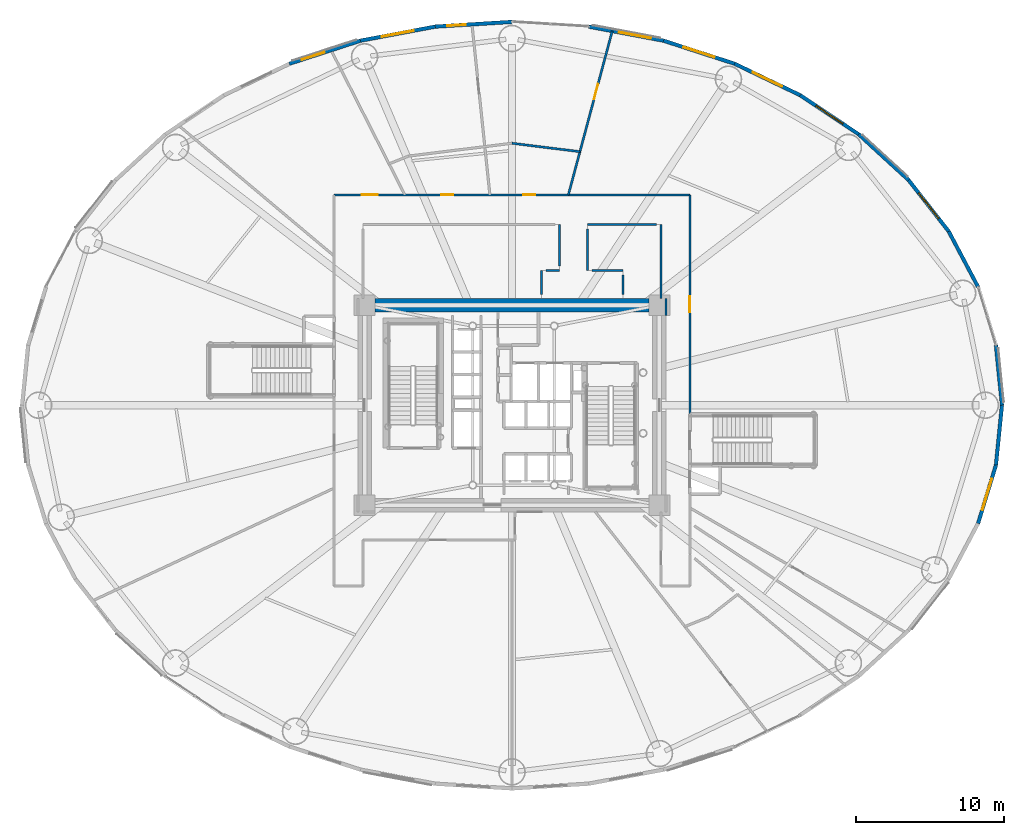
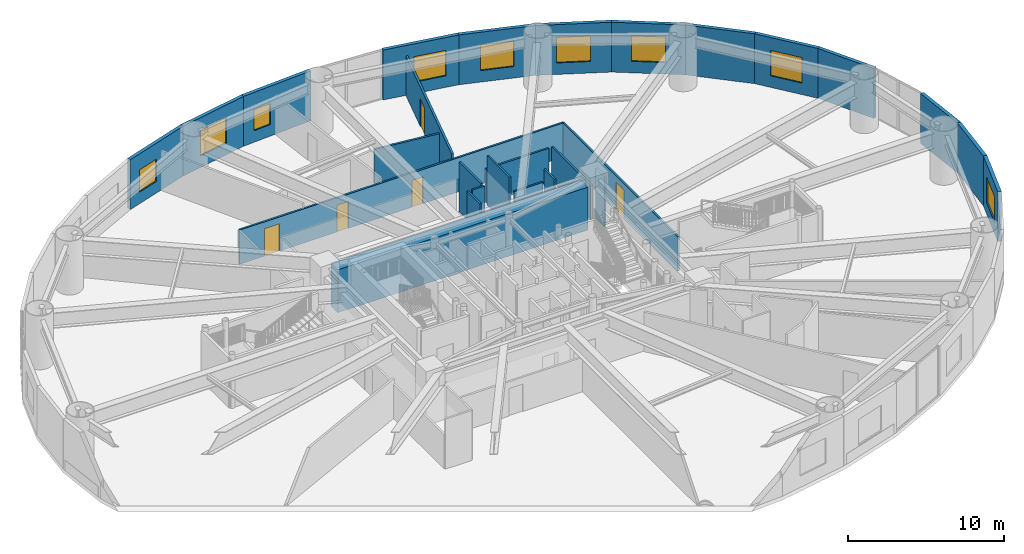
# One storey, part 16 of 27: 27 walls, 9 windows, 5 doors, 14 openings.
"""IFC4 building model written with IfcOpenShell, lengths in metres."""

from ifc_helpers import new_model, si_unit, direction, frame, frame_2d, origin, origin_2d, place, context, subcontext, project, spatial, rectangle, extrude, source, transform, mapped, material, layer, layer_set, type_object, element, fill, save


model = new_model("IFC4")

# Units and contexts
model_context = context("Model", 3, precision=1e-05, world=origin(), true_north=direction((0.0, 1.0)))
body_context = subcontext(model_context, "Body", "Model", "MODEL_VIEW")
ifc_project = project(units=[si_unit("LENGTHUNIT", "METRE"), si_unit("AREAUNIT", "SQUARE_METRE"), si_unit("VOLUMEUNIT", "CUBIC_METRE"), si_unit("PLANEANGLEUNIT", "RADIAN"), si_unit("MASSUNIT", "GRAM", prefix="KILO")], contexts=[model_context])

# Site, building, storey
site_placement = place(None, origin())
site = spatial("IfcSite", under=ifc_project, at=site_placement, CompositionType="ELEMENT")
building_placement = place(site_placement, origin())
building = spatial("IfcBuilding", under=site, at=building_placement, Name="Linh Dai School and Residence Tower", CompositionType="ELEMENT")
storey_placement = place(building_placement, frame((0.0, 0.0, 22.800048828125)))
storey = spatial("IfcBuildingStorey", under=building, at=storey_placement, Name="L05", CompositionType="ELEMENT", Elevation=22.800048828125)

# Walls
ifc_material_1 = material(Name="Precast Concrete B45 (C35/45)", Category="concrete")
ifc_layer_1 = layer(ifc_material_1, 0.25)
ifc_layer_set_1 = layer_set([ifc_layer_1], Name="Precast Concrete B45 (C35/45)")
wall_type_1 = type_object("IfcWallType", Name="EW-TC-250", PredefinedType="SOLIDWALL", material=ifc_layer_set_1)
wall_1_placement = place(storey_placement, frame((68.668701171875, 31.04248046875, 0.0), z_axis=(0.0, 0.0, 1.0), x_axis=(0.099991575324, -0.994988283782, 0.0)))
element("IfcWall", 1, at=wall_1_placement, inside=storey, type_object=wall_type_1, Name="L05 Terracotta Exterior Wall 01", PredefinedType="SOLIDWALL", context=body_context, shape_type="SweptSolid", body=[
    extrude(rectangle(XDim=4.062744140625, YDim=0.25, at=frame_2d((2.03125, 0.0))), origin(), (0.0, 0.0, 1.0), 3.89990234375),
])
wall_2_placement = place(storey_placement, frame((65.4765625, 38.735595703125, 0.0), z_axis=(0.0, 0.0, 1.0), x_axis=(0.467588829866, -0.883946087827, 0.0)))
element("IfcWall", 2, at=wall_2_placement, inside=storey, type_object=wall_type_1, Name="L05 Terracotta Exterior Wall 03", PredefinedType="SOLIDWALL", context=body_context, shape_type="SweptSolid", body=[
    extrude(rectangle(XDim=4.2412109375, YDim=0.25, at=frame_2d((2.12060546875, 0.0))), origin(), (0.0, 0.0, 1.0), 3.89990234375),
])

# Wall, opening, window
wall_3_placement = place(storey_placement, frame((62.767822265625, 42.197509765625, 0.0), z_axis=(0.0, 0.0, 1.0), x_axis=(0.61622589112, -0.787569457961, 0.0)))
wall_3 = element("IfcWall", 3, at=wall_3_placement, inside=storey, type_object=wall_type_1, Name="L05 Terracotta Exterior Wall 04", PredefinedType="SOLIDWALL", context=body_context, shape_type="SweptSolid", body=[
    extrude(rectangle(XDim=4.395751953125, YDim=0.25, at=frame_2d((2.19775390625, 0.0))), origin(), (0.0, 0.0, 1.0), 3.89990234375),
])
opening_1_placement = place(wall_3_placement, frame((1.09765625, 0.0, 0.89990234375)))
opening_1 = element("IfcOpeningElement", 4, at=opening_1_placement, cuts=wall_3, Name="Opening W4", PredefinedType="OPENING", context=body_context, shape_type="SweptSolid", body=[
    extrude(rectangle(XDim=2.199951171875, YDim=2.0, at=origin_2d()), frame((1.10009765625, 0.135009765625, 1.0), z_axis=(0.0, -1.0, 0.0), x_axis=(1.0, 0.0, 0.0)), (0.0, 0.0, 1.0), 0.27001953125),
])
ifc_material_2 = material(Name="Acoustic Laminated Low-E Glazing", Category="glass")
window_type_1 = type_object("IfcWindowType", Name="WN-SCH-2200x2000", PartitioningType="TRIPLE_PANEL_VERTICAL", PredefinedType="WINDOW", material=ifc_material_2)
shared_shape_1 = source(origin(), body_context, "Body", "SweptSolid", [
    extrude(rectangle(XDim=2.199951171875, YDim=2.0, at=origin_2d()), frame((1.10009765625, 0.030029296875, 1.0), z_axis=(0.0, -1.0, 0.0), x_axis=(1.0, 0.0, 0.0)), (0.0, 0.0, 1.0), 0.06005859375),
])
window_1_placement = place(opening_1_placement, origin())
window_1 = element("IfcWindow", 5, at=window_1_placement, inside=storey, type_object=window_type_1, Name="L05 Exterior Window 04.1", OverallHeight=2.0, OverallWidth=2.199951171875, PartitioningType="TRIPLE_PANEL_VERTICAL", PredefinedType="WINDOW", context=body_context, shape_type="MappedRepresentation", body=[
    mapped(shared_shape_1, transform((0.0, 0.0, 0.0), x_axis=(1.0, 0.0, 0.0), y_axis=(0.0, 1.0, 0.0), z_axis=(0.0, 0.0, 1.0), scale=1.0)),
])
fill(opening_1, window_1)

# Wall
wall_4_placement = place(storey_placement, frame((59.39892578125, 45.286376953125, 0.0), z_axis=(0.0, 0.0, 1.0), x_axis=(0.737076532105, -0.675809282136, 0.0)))
element("IfcWall", 6, at=wall_4_placement, inside=storey, type_object=wall_type_1, Name="L05 Terracotta Exterior Wall 05", PredefinedType="SOLIDWALL", context=body_context, shape_type="SweptSolid", body=[
    extrude(rectangle(XDim=4.570556640625, YDim=0.25, at=frame_2d((2.28515625, 0.0))), origin(), (0.0, 0.0, 1.0), 3.89990234375),
])

# Wall, opening, window
wall_5_placement = place(storey_placement, frame((55.45263671875, 47.92578125, 0.0), z_axis=(0.0, 0.0, 1.0), x_axis=(0.831218664812, -0.555945618985, 0.0)))
wall_5 = element("IfcWall", 7, at=wall_5_placement, inside=storey, type_object=wall_type_1, Name="L05 Terracotta Exterior Wall 06", PredefinedType="SOLIDWALL", context=body_context, shape_type="SweptSolid", body=[
    extrude(rectangle(XDim=4.74755859375, YDim=0.25, at=frame_2d((2.373779296875, 0.0))), origin(), (0.0, 0.0, 1.0), 3.89990234375),
])
opening_2_placement = place(wall_5_placement, frame((1.273681640625, 0.0, 0.89990234375)))
opening_2 = element("IfcOpeningElement", 8, at=opening_2_placement, cuts=wall_5, Name="Opening W4", PredefinedType="OPENING", context=body_context, shape_type="SweptSolid", body=[
    extrude(rectangle(XDim=2.199951171875, YDim=2.0, at=origin_2d()), frame((1.10009765625, 0.135009765625, 1.0), z_axis=(0.0, -1.0, 0.0), x_axis=(1.0, 0.0, 0.0)), (0.0, 0.0, 1.0), 0.27001953125),
])
window_2_placement = place(opening_2_placement, origin())
window_2 = element("IfcWindow", 9, at=window_2_placement, inside=storey, type_object=window_type_1, Name="L05 Exterior Window 06.1", OverallHeight=2.0, OverallWidth=2.199951171875, PartitioningType="TRIPLE_PANEL_VERTICAL", PredefinedType="WINDOW", context=body_context, shape_type="MappedRepresentation", body=[
    mapped(shared_shape_1, transform((0.0, 0.0, 0.0), x_axis=(1.0, 0.0, 0.0), y_axis=(0.0, 1.0, 0.0), z_axis=(0.0, 0.0, 1.0), scale=1.0)),
])
fill(opening_2, window_2)

wall_6_placement = place(storey_placement, frame((51.026123046875, 50.050048828125, 0.0), z_axis=(0.0, 0.0, 1.0), x_axis=(0.901559523397, -0.432655088692, 0.0)))
wall_6 = element("IfcWall", 10, at=wall_6_placement, inside=storey, type_object=wall_type_1, Name="L05 Terracotta Exterior Wall 07", PredefinedType="SOLIDWALL", context=body_context, shape_type="SweptSolid", body=[
    extrude(rectangle(XDim=4.909912109375, YDim=0.25, at=frame_2d((2.455078125, 0.0))), origin(), (0.0, 0.0, 1.0), 3.89990234375),
])
opening_3_placement = place(wall_6_placement, frame((1.354736328125, 0.0, 0.89990234375)))
opening_3 = element("IfcOpeningElement", 11, at=opening_3_placement, cuts=wall_6, Name="Opening W4", PredefinedType="OPENING", context=body_context, shape_type="SweptSolid", body=[
    extrude(rectangle(XDim=2.199951171875, YDim=2.0, at=origin_2d()), frame((1.10009765625, 0.135009765625, 1.0), z_axis=(0.0, -1.0, 0.0), x_axis=(1.0, 0.0, 0.0)), (0.0, 0.0, 1.0), 0.27001953125),
])
window_3_placement = place(opening_3_placement, origin())
window_3 = element("IfcWindow", 12, at=window_3_placement, inside=storey, type_object=window_type_1, Name="L05 Exterior Window 07.1", OverallHeight=2.0, OverallWidth=2.199951171875, PartitioningType="TRIPLE_PANEL_VERTICAL", PredefinedType="WINDOW", context=body_context, shape_type="MappedRepresentation", body=[
    mapped(shared_shape_1, transform((0.0, 0.0, 0.0), x_axis=(1.0, 0.0, 0.0), y_axis=(0.0, 1.0, 0.0), z_axis=(0.0, 0.0, 1.0), scale=1.0)),
])
fill(opening_3, window_3)

wall_7_placement = place(storey_placement, frame((46.228515625, 51.6064453125, 0.0), z_axis=(0.0, 0.0, 1.0), x_axis=(0.951198629726, -0.308579271513, 0.0)))
wall_7 = element("IfcWall", 13, at=wall_7_placement, inside=storey, type_object=wall_type_1, Name="L05 Terracotta Exterior Wall 08", PredefinedType="SOLIDWALL", context=body_context, shape_type="SweptSolid", body=[
    extrude(rectangle(XDim=5.043701171875, YDim=0.25, at=frame_2d((2.52197265625, 0.0))), origin(), (0.0, 0.0, 1.0), 3.89990234375),
])
opening_4_placement = place(wall_7_placement, frame((1.421630859375, 0.0, 0.89990234375)))
opening_4 = element("IfcOpeningElement", 14, at=opening_4_placement, cuts=wall_7, Name="Opening W4", PredefinedType="OPENING", context=body_context, shape_type="SweptSolid", body=[
    extrude(rectangle(XDim=2.199951171875, YDim=2.0, at=origin_2d()), frame((1.10009765625, 0.135009765625, 1.0), z_axis=(0.0, -1.0, 0.0), x_axis=(1.0, 0.0, 0.0)), (0.0, 0.0, 1.0), 0.27001953125),
])
window_4_placement = place(opening_4_placement, origin())
window_4 = element("IfcWindow", 15, at=window_4_placement, inside=storey, type_object=window_type_1, Name="L05 Exterior Window 08.1", OverallHeight=2.0, OverallWidth=2.199951171875, PartitioningType="TRIPLE_PANEL_VERTICAL", PredefinedType="WINDOW", context=body_context, shape_type="MappedRepresentation", body=[
    mapped(shared_shape_1, transform((0.0, 0.0, 0.0), x_axis=(1.0, 0.0, 0.0), y_axis=(0.0, 1.0, 0.0), z_axis=(0.0, 0.0, 1.0), scale=1.0)),
])
fill(opening_4, window_4)

wall_8_placement = place(storey_placement, frame((41.17822265625, 52.555908203125, 0.0), z_axis=(0.0, 0.0, 1.0), x_axis=(0.98278278947, -0.184764684726, 0.0)))
wall_8 = element("IfcWall", 16, at=wall_8_placement, inside=storey, type_object=wall_type_1, Name="L05 Terracotta Exterior Wall 09", PredefinedType="SOLIDWALL", context=body_context, shape_type="SweptSolid", body=[
    extrude(rectangle(XDim=5.138671875, YDim=0.25, at=frame_2d((2.5693359375, 0.0))), origin(), (0.0, 0.0, 1.0), 3.89990234375),
])
opening_5_placement = place(wall_8_placement, frame((2.079345703125, 0.0, 0.89990234375)))
opening_5 = element("IfcOpeningElement", 17, at=opening_5_placement, cuts=wall_8, Name="Opening W4", PredefinedType="OPENING", context=body_context, shape_type="SweptSolid", body=[
    extrude(rectangle(XDim=2.199951171875, YDim=2.0, at=origin_2d()), frame((1.10009765625, 0.135009765625, 1.0), z_axis=(0.0, -1.0, 0.0), x_axis=(1.0, 0.0, 0.0)), (0.0, 0.0, 1.0), 0.27001953125),
])
window_5_placement = place(opening_5_placement, origin())
window_5 = element("IfcWindow", 18, at=window_5_placement, inside=storey, type_object=window_type_1, Name="L05 Exterior Window 09.1", OverallHeight=2.0, OverallWidth=2.199951171875, PartitioningType="TRIPLE_PANEL_VERTICAL", PredefinedType="WINDOW", context=body_context, shape_type="MappedRepresentation", body=[
    mapped(shared_shape_1, transform((0.0, 0.0, 0.0), x_axis=(1.0, 0.0, 0.0), y_axis=(0.0, 1.0, 0.0), z_axis=(0.0, 0.0, 1.0), scale=1.0)),
])
fill(opening_5, window_5)

wall_9_placement = place(storey_placement, frame((30.82177734375, 52.555908203125, 0.0), z_axis=(0.0, 0.0, 1.0), x_axis=(0.998106762298, 0.061505211614, 0.0)))
wall_9 = element("IfcWall", 19, at=wall_9_placement, inside=storey, type_object=wall_type_1, Name="L05 Terracotta Exterior Wall 11", PredefinedType="SOLIDWALL", context=body_context, shape_type="SweptSolid", body=[
    extrude(rectangle(XDim=5.18798828125, YDim=0.25, at=frame_2d((2.593994140625, 0.0))), origin(), (0.0, 0.0, 1.0), 3.89990234375),
])
opening_6_placement = place(wall_9_placement, frame((0.81201171875, 0.0, 0.89990234375)))
opening_6 = element("IfcOpeningElement", 20, at=opening_6_placement, cuts=wall_9, Name="Opening W3", PredefinedType="OPENING", context=body_context, shape_type="SweptSolid", body=[
    extrude(rectangle(XDim=1.25, YDim=1.64990234375, at=origin_2d()), frame((0.625, 0.135009765625, 0.824951171875), z_axis=(0.0, -1.0, 0.0), x_axis=(1.0, 0.0, 0.0)), (0.0, 0.0, 1.0), 0.27001953125),
])
ifc_material_3 = material(Name="Double Low-E Insulated Glazing", Category="glass")
window_type_2 = type_object("IfcWindowType", Name="WN-RES-1250x1650", PartitioningType="SINGLE_PANEL", PredefinedType="WINDOW", material=ifc_material_3)
shared_shape_2 = source(origin(), body_context, "Body", "SweptSolid", [
    extrude(rectangle(XDim=1.25, YDim=1.64990234375, at=origin_2d()), frame((0.625, 0.030029296875, 0.824951171875), z_axis=(0.0, -1.0, 0.0), x_axis=(1.0, 0.0, 0.0)), (0.0, 0.0, 1.0), 0.06005859375),
])
window_6_placement = place(opening_6_placement, origin())
window_6 = element("IfcWindow", 21, at=window_6_placement, inside=storey, type_object=window_type_2, Name="L05 Exterior Window 11.1", OverallHeight=1.64990234375, OverallWidth=1.25, PartitioningType="SINGLE_PANEL", PredefinedType="WINDOW", context=body_context, shape_type="MappedRepresentation", body=[
    mapped(shared_shape_2, transform((0.0, 0.0, 0.0), x_axis=(1.0, 0.0, 0.0), y_axis=(0.0, 1.0, 0.0), z_axis=(0.0, 0.0, 1.0), scale=1.0)),
])
fill(opening_6, window_6)

wall_10_placement = place(storey_placement, frame((25.771484375, 51.6064453125, 0.0), z_axis=(0.0, 0.0, 1.0), x_axis=(0.98278278947, 0.184764684726, 0.0)))
wall_10 = element("IfcWall", 22, at=wall_10_placement, inside=storey, type_object=wall_type_1, Name="L05 Terracotta Exterior Wall 12", PredefinedType="SOLIDWALL", context=body_context, shape_type="SweptSolid", body=[
    extrude(rectangle(XDim=5.138671875, YDim=0.25, at=frame_2d((2.5693359375, 0.0))), origin(), (0.0, 0.0, 1.0), 3.89990234375),
])
opening_7_placement = place(wall_10_placement, frame((1.469482421875, 0.0, 0.89990234375)))
opening_7 = element("IfcOpeningElement", 23, at=opening_7_placement, cuts=wall_10, Name="Opening W4", PredefinedType="OPENING", context=body_context, shape_type="SweptSolid", body=[
    extrude(rectangle(XDim=2.199951171875, YDim=2.0, at=origin_2d()), frame((1.10009765625, 0.135009765625, 1.0), z_axis=(0.0, -1.0, 0.0), x_axis=(1.0, 0.0, 0.0)), (0.0, 0.0, 1.0), 0.27001953125),
])
window_7_placement = place(opening_7_placement, origin())
window_7 = element("IfcWindow", 24, at=window_7_placement, inside=storey, type_object=window_type_1, Name="L05 Exterior Window 12.1", OverallHeight=2.0, OverallWidth=2.199951171875, PartitioningType="TRIPLE_PANEL_VERTICAL", PredefinedType="WINDOW", context=body_context, shape_type="MappedRepresentation", body=[
    mapped(shared_shape_1, transform((0.0, 0.0, 0.0), x_axis=(1.0, 0.0, 0.0), y_axis=(0.0, 1.0, 0.0), z_axis=(0.0, 0.0, 1.0), scale=1.0)),
])
fill(opening_7, window_7)

wall_11_placement = place(storey_placement, frame((20.973876953125, 50.050048828125, 0.0), z_axis=(0.0, 0.0, 1.0), x_axis=(0.951198629726, 0.308579271513, 0.0)))
wall_11 = element("IfcWall", 25, at=wall_11_placement, inside=storey, type_object=wall_type_1, Name="L05 Terracotta Exterior Wall 13", PredefinedType="SOLIDWALL", context=body_context, shape_type="SweptSolid", body=[
    extrude(rectangle(XDim=5.043701171875, YDim=0.25, at=frame_2d((2.52197265625, 0.0))), origin(), (0.0, 0.0, 1.0), 3.89990234375),
])
opening_8_placement = place(wall_11_placement, frame((0.88427734375, 0.0, 0.89990234375)))
opening_8 = element("IfcOpeningElement", 26, at=opening_8_placement, cuts=wall_11, Name="Opening W2", PredefinedType="OPENING", context=body_context, shape_type="SweptSolid", body=[
    extrude(rectangle(XDim=1.60009765625, YDim=1.75, at=origin_2d()), frame((0.800048828125, 0.135009765625, 0.875), z_axis=(0.0, -1.0, 0.0), x_axis=(1.0, 0.0, 0.0)), (0.0, 0.0, 1.0), 0.27001953125),
])
window_type_3 = type_object("IfcWindowType", Name="WN-RES-1600x1750", PartitioningType="DOUBLE_PANEL_VERTICAL", PredefinedType="WINDOW", material=ifc_material_3)
shared_shape_3 = source(origin(), body_context, "Body", "SweptSolid", [
    extrude(rectangle(XDim=1.60009765625, YDim=1.75, at=origin_2d()), frame((0.800048828125, 0.030029296875, 0.875), z_axis=(0.0, -1.0, 0.0), x_axis=(1.0, 0.0, 0.0)), (0.0, 0.0, 1.0), 0.06005859375),
])
window_8_placement = place(opening_8_placement, origin())
window_8 = element("IfcWindow", 27, at=window_8_placement, inside=storey, type_object=window_type_3, Name="L05 Exterior Window 13.1", OverallHeight=1.75, OverallWidth=1.60009765625, PartitioningType="DOUBLE_PANEL_VERTICAL", PredefinedType="WINDOW", context=body_context, shape_type="MappedRepresentation", body=[
    mapped(shared_shape_3, transform((0.0, 0.0, 0.0), x_axis=(1.0, 0.0, 0.0), y_axis=(0.0, 1.0, 0.0), z_axis=(0.0, 0.0, 1.0), scale=1.0)),
])
fill(opening_8, window_8)

wall_12_placement = place(storey_placement, frame((68.668701171875, 22.95751953125, 0.0), z_axis=(0.0, 0.0, 1.0), x_axis=(-0.293070945898, -0.956090696885, 0.0)))
wall_12 = element("IfcWall", 28, at=wall_12_placement, inside=storey, type_object=wall_type_1, Name="L05 Terracotta Exterior Wall 39", PredefinedType="SOLIDWALL", context=body_context, shape_type="SweptSolid", body=[
    extrude(rectangle(XDim=4.125244140625, YDim=0.25, at=frame_2d((2.0625, 0.0))), origin(), (0.0, 0.0, 1.0), 3.89990234375),
])
opening_9_placement = place(wall_12_placement, frame((0.962646484375, 0.0, 0.89990234375)))
opening_9 = element("IfcOpeningElement", 29, at=opening_9_placement, cuts=wall_12, Name="Opening W4", PredefinedType="OPENING", context=body_context, shape_type="SweptSolid", body=[
    extrude(rectangle(XDim=2.199951171875, YDim=2.0, at=origin_2d()), frame((1.10009765625, 0.135009765625, 1.0), z_axis=(0.0, -1.0, 0.0), x_axis=(1.0, 0.0, 0.0)), (0.0, 0.0, 1.0), 0.27001953125),
])
window_9_placement = place(opening_9_placement, origin())
window_9 = element("IfcWindow", 30, at=window_9_placement, inside=storey, type_object=window_type_1, Name="L05 Exterior Window 39.1", OverallHeight=2.0, OverallWidth=2.199951171875, PartitioningType="TRIPLE_PANEL_VERTICAL", PredefinedType="WINDOW", context=body_context, shape_type="MappedRepresentation", body=[
    mapped(shared_shape_1, transform((0.0, 0.0, 0.0), x_axis=(1.0, 0.0, 0.0), y_axis=(0.0, 1.0, 0.0), z_axis=(0.0, 0.0, 1.0), scale=1.0)),
])
fill(opening_9, window_9)

# Wall
wall_13_placement = place(storey_placement, frame((69.074951171875, 27.0, 0.0), z_axis=(0.0, 0.0, 1.0), x_axis=(-0.099991575324, -0.994988283782, 0.0)))
element("IfcWall", 31, at=wall_13_placement, inside=storey, type_object=wall_type_1, Name="L05 Terracotta Exterior Wall 40", PredefinedType="SOLIDWALL", context=body_context, shape_type="SweptSolid", body=[
    extrude(rectangle(XDim=4.062744140625, YDim=0.25, at=frame_2d((2.03125, 0.0))), origin(), (0.0, 0.0, 1.0), 3.89990234375),
])

# Wall, openings, doors
ifc_material_4 = material(Name="Autoclaved Aerated Concrete Blockwork", Category="masonry")
ifc_layer_2 = layer(ifc_material_4, 0.135009765625)
ifc_layer_set_2 = layer_set([ifc_layer_2], Name="Autoclaved Aerated Concrete Blockwork")
wall_type_2 = type_object("IfcWallType", Name="IW-CORR-135-EI90", PredefinedType="PARTITIONING", material=ifc_layer_set_2)
wall_14_placement = place(storey_placement, frame((24.0, 41.199951171875, 0.0), z_axis=(0.0, 0.0, 1.0), x_axis=(1.0, 0.0, 0.0)))
wall_14 = element("IfcWall", 32, at=wall_14_placement, inside=storey, type_object=wall_type_2, Name="L05 Interior Partition Wall 013", PredefinedType="PARTITIONING", context=body_context, shape_type="SweptSolid", body=[
    extrude(rectangle(XDim=24.0, YDim=0.135009765625, at=frame_2d((12.0, 0.0))), origin(), (0.0, 0.0, 1.0), 2.68505859375),
])
opening_10_placement = place(wall_14_placement, frame((12.74609375, 0.0, 0.0)))
opening_10 = element("IfcOpeningElement", 33, at=opening_10_placement, cuts=wall_14, Name="Opening D06", PredefinedType="OPENING", context=body_context, shape_type="SweptSolid", body=[
    extrude(rectangle(XDim=0.820068359375, YDim=2.10009765625, at=origin_2d()), frame((0.41015625, 0.07763671875, 1.050048828125), z_axis=(0.0, -1.0, 0.0), x_axis=(1.0, 0.0, 0.0)), (0.0, 0.0, 1.0), 0.155029296875),
])
opening_11_placement = place(wall_14_placement, frame((7.22607421875, 0.0, 0.0)))
opening_11 = element("IfcOpeningElement", 34, at=opening_11_placement, cuts=wall_14, Name="Opening D06", PredefinedType="OPENING", context=body_context, shape_type="SweptSolid", body=[
    extrude(rectangle(XDim=0.820068359375, YDim=2.10009765625, at=origin_2d()), frame((0.41015625, 0.07763671875, 1.050048828125), z_axis=(0.0, -1.0, 0.0), x_axis=(1.0, 0.0, 0.0)), (0.0, 0.0, 1.0), 0.155029296875),
])
opening_12_placement = place(wall_14_placement, frame((1.852294921875, 0.0, 0.0)))
opening_12 = element("IfcOpeningElement", 35, at=opening_12_placement, cuts=wall_14, Name="Opening D07", PredefinedType="OPENING", context=body_context, shape_type="SweptSolid", body=[
    extrude(rectangle(XDim=1.10009765625, YDim=2.14990234375, at=origin_2d()), frame((0.550048828125, 0.07763671875, 1.074951171875), z_axis=(0.0, -1.0, 0.0), x_axis=(1.0, 0.0, 0.0)), (0.0, 0.0, 1.0), 0.155029296875),
])
ifc_material_5 = material(Name="Moisture-Resistant Timber Bathroom Door", Category="wood")
door_type_1 = type_object("IfcDoorType", Name="DR-WET-820x2100", OperationType="NOTDEFINED", PredefinedType="DOOR", material=ifc_material_5)
shared_shape_4 = source(origin(), body_context, "Body", "SweptSolid", [
    extrude(rectangle(XDim=0.820068359375, YDim=2.10009765625, at=origin_2d()), frame((0.41015625, 0.02490234375, 1.050048828125), z_axis=(0.0, -1.0, 0.0), x_axis=(1.0, 0.0, 0.0)), (0.0, 0.0, 1.0), 0.050048828125),
])
door_1_placement = place(opening_10_placement, origin())
door_1 = element("IfcDoor", 36, at=door_1_placement, inside=storey, type_object=door_type_1, Name="L05 Boys Sports Changing and Shower Room Door", OperationType="SINGLE_SWING_LEFT", OverallHeight=2.10009765625, OverallWidth=0.820068359375, PredefinedType="DOOR", context=body_context, shape_type="MappedRepresentation", body=[
    mapped(shared_shape_4, transform((0.0, 0.0, 0.0), x_axis=(1.0, 0.0, 0.0), y_axis=(0.0, 1.0, 0.0), z_axis=(0.0, 0.0, 1.0), scale=1.0)),
])
fill(opening_10, door_1)
door_2_placement = place(opening_11_placement, origin())
door_2 = element("IfcDoor", 37, at=door_2_placement, inside=storey, type_object=door_type_1, Name="L05 Girls Sports Changing and Shower Room Door", OperationType="SINGLE_SWING_LEFT", OverallHeight=2.10009765625, OverallWidth=0.820068359375, PredefinedType="DOOR", context=body_context, shape_type="MappedRepresentation", body=[
    mapped(shared_shape_4, transform((0.0, 0.0, 0.0), x_axis=(1.0, 0.0, 0.0), y_axis=(0.0, 1.0, 0.0), z_axis=(0.0, 0.0, 1.0), scale=1.0)),
])
fill(opening_11, door_2)
ifc_material_6 = material(Name="Fire-Rated Louvred Steel Plant Door", Category="steel")
door_type_2 = type_object("IfcDoorType", Name="DR-PLT-1100x2150-FD60S", OperationType="NOTDEFINED", PredefinedType="DOOR", material=ifc_material_6)
shared_shape_5 = source(origin(), body_context, "Body", "SweptSolid", [
    extrude(rectangle(XDim=1.10009765625, YDim=2.14990234375, at=origin_2d()), frame((0.550048828125, 0.02490234375, 1.074951171875), z_axis=(0.0, -1.0, 0.0), x_axis=(1.0, 0.0, 0.0)), (0.0, 0.0, 1.0), 0.050048828125),
])
door_3_placement = place(opening_12_placement, origin())
door_3 = element("IfcDoor", 38, at=door_3_placement, inside=storey, type_object=door_type_2, Name="L05 Sports Equipment Store Door", OperationType="SINGLE_SWING_LEFT", OverallHeight=2.14990234375, OverallWidth=1.10009765625, PredefinedType="DOOR", context=body_context, shape_type="MappedRepresentation", body=[
    mapped(shared_shape_5, transform((0.0, 0.0, 0.0), x_axis=(1.0, 0.0, 0.0), y_axis=(0.0, 1.0, 0.0), z_axis=(0.0, 0.0, 1.0), scale=1.0)),
])
fill(opening_12, door_3)

# Wall, opening, door
wall_15_placement = place(storey_placement, frame((48.0, 26.429931640625, 0.0), z_axis=(0.0, 0.0, 1.0), x_axis=(0.0, 1.0, 0.0)))
wall_15 = element("IfcWall", 39, at=wall_15_placement, inside=storey, type_object=wall_type_2, Name="L05 Interior Partition Wall 069", PredefinedType="PARTITIONING", context=body_context, shape_type="SweptSolid", body=[
    extrude(rectangle(XDim=14.77001953125, YDim=0.135009765625, at=frame_2d((7.385009765625, 0.0))), origin(), (0.0, 0.0, 1.0), 2.68505859375),
])
opening_13_placement = place(wall_15_placement, frame((6.860107421875, 0.0, 0.0)))
opening_13 = element("IfcOpeningElement", 40, at=opening_13_placement, cuts=wall_15, Name="Opening D04", PredefinedType="OPENING", context=body_context, shape_type="SweptSolid", body=[
    extrude(rectangle(XDim=1.050048828125, YDim=2.14990234375, at=origin_2d()), frame((0.52490234375, 0.07763671875, 1.074951171875), z_axis=(0.0, -1.0, 0.0), x_axis=(1.0, 0.0, 0.0)), (0.0, 0.0, 1.0), 0.155029296875),
])
ifc_material_7 = material(Name="Acoustic Vision-Panel Timber Classroom Door", Category="wood")
door_type_3 = type_object("IfcDoorType", Name="DR-SCH-1050x2150-FD60S", OperationType="NOTDEFINED", PredefinedType="DOOR", material=ifc_material_7)
shared_shape_6 = source(origin(), body_context, "Body", "SweptSolid", [
    extrude(rectangle(XDim=1.050048828125, YDim=2.14990234375, at=origin_2d()), frame((0.52490234375, 0.02490234375, 1.074951171875), z_axis=(0.0, -1.0, 0.0), x_axis=(1.0, 0.0, 0.0)), (0.0, 0.0, 1.0), 0.050048828125),
])
door_4_placement = place(opening_13_placement, origin())
door_4 = element("IfcDoor", 41, at=door_4_placement, inside=storey, type_object=door_type_3, Name="L05 Double-Bay Indoor Sports and Badminton Hall Door", OperationType="SINGLE_SWING_RIGHT", OverallHeight=2.14990234375, OverallWidth=1.050048828125, PredefinedType="DOOR", context=body_context, shape_type="MappedRepresentation", body=[
    mapped(shared_shape_6, transform((0.0, 0.0, 0.0), x_axis=(1.0, 0.0, 0.0), y_axis=(0.0, 1.0, 0.0), z_axis=(0.0, 0.0, 1.0), scale=1.0)),
])
fill(opening_13, door_4)

# Walls
wall_16_placement = place(storey_placement, frame((46.39990234375, 33.06005859375, 0.0), z_axis=(0.0, 0.0, 1.0), x_axis=(0.0, 1.0, 0.0)))
element("IfcWall", 42, at=wall_16_placement, inside=storey, type_object=wall_type_2, Name="L05 Interior Partition Wall 087", PredefinedType="PARTITIONING", context=body_context, shape_type="SweptSolid", body=[
    extrude(rectangle(XDim=1.139892578125, YDim=0.135009765625, at=frame_2d((0.56982421875, 0.0))), origin(), (0.0, 0.0, 1.0), 3.89990234375),
])
wall_17_placement = place(storey_placement, frame((46.050048828125, 34.199951171875, 0.0), z_axis=(0.0, 0.0, 1.0), x_axis=(0.0, 1.0, 0.0)))
element("IfcWall", 43, at=wall_17_placement, inside=storey, type_object=wall_type_2, Name="L05 Interior Partition Wall 088", PredefinedType="PARTITIONING", context=body_context, shape_type="SweptSolid", body=[
    extrude(rectangle(XDim=5.0, YDim=0.135009765625, at=frame_2d((2.5, 0.0))), origin(), (0.0, 0.0, 1.0), 2.68505859375),
])
wall_18_placement = place(storey_placement, frame((45.742431640625, 39.199951171875, 0.0), z_axis=(0.0, 0.0, 1.0), x_axis=(-1.0, 0.0, 0.0)))
element("IfcWall", 44, at=wall_18_placement, inside=storey, type_object=wall_type_2, Name="L05 Interior Partition Wall 089", PredefinedType="PARTITIONING", context=body_context, shape_type="SweptSolid", body=[
    extrude(rectangle(XDim=4.642333984375, YDim=0.135009765625, at=frame_2d((2.3212890625, 0.0))), origin(), (0.0, 0.0, 1.0), 2.68505859375),
])
wall_19_placement = place(storey_placement, frame((41.10009765625, 38.892578125, 0.0), z_axis=(0.0, 0.0, 1.0), x_axis=(0.0, -1.0, 0.0)))
element("IfcWall", 45, at=wall_19_placement, inside=storey, type_object=wall_type_2, Name="L05 Interior Partition Wall 090", PredefinedType="PARTITIONING", context=body_context, shape_type="SweptSolid", body=[
    extrude(rectangle(XDim=2.79248046875, YDim=0.135009765625, at=frame_2d((1.396240234375, 0.0))), origin(), (0.0, 0.0, 1.0), 3.89990234375),
])
wall_20_placement = place(storey_placement, frame((41.407470703125, 36.10009765625, 0.0), z_axis=(0.0, 0.0, 1.0), x_axis=(1.0, 0.0, 0.0)))
element("IfcWall", 46, at=wall_20_placement, inside=storey, type_object=wall_type_2, Name="L05 Interior Partition Wall 091", PredefinedType="PARTITIONING", context=body_context, shape_type="SweptSolid", body=[
    extrude(rectangle(XDim=2.092529296875, YDim=0.135009765625, at=frame_2d((1.04638671875, 0.0))), origin(), (0.0, 0.0, 1.0), 2.68505859375),
])
wall_21_placement = place(storey_placement, frame((43.5, 35.79248046875, 0.0), z_axis=(0.0, 0.0, 1.0), x_axis=(0.0, -1.0, 0.0)))
element("IfcWall", 47, at=wall_21_placement, inside=storey, type_object=wall_type_2, Name="L05 Interior Partition Wall 092", PredefinedType="PARTITIONING", context=body_context, shape_type="SweptSolid", body=[
    extrude(rectangle(XDim=1.33251953125, YDim=0.135009765625, at=frame_2d((0.666259765625, 0.0))), origin(), (0.0, 0.0, 1.0), 3.89990234375),
])
wall_22_placement = place(storey_placement, frame((38.0, 34.4599609375, 0.0), z_axis=(0.0, 0.0, 1.0), x_axis=(0.0, 1.0, 0.0)))
element("IfcWall", 48, at=wall_22_placement, inside=storey, type_object=wall_type_2, Name="L05 Interior Partition Wall 093", PredefinedType="PARTITIONING", context=body_context, shape_type="SweptSolid", body=[
    extrude(rectangle(XDim=1.64013671875, YDim=0.135009765625, at=frame_2d((0.820068359375, 0.0))), origin(), (0.0, 0.0, 1.0), 3.89990234375),
])
wall_23_placement = place(storey_placement, frame((38.3076171875, 36.10009765625, 0.0), z_axis=(0.0, 0.0, 1.0), x_axis=(1.0, 0.0, 0.0)))
element("IfcWall", 49, at=wall_23_placement, inside=storey, type_object=wall_type_2, Name="L05 Interior Partition Wall 094", PredefinedType="PARTITIONING", context=body_context, shape_type="SweptSolid", body=[
    extrude(rectangle(XDim=0.892333984375, YDim=0.135009765625, at=frame_2d((0.4462890625, 0.0))), origin(), (0.0, 0.0, 1.0), 3.89990234375),
])
wall_24_placement = place(storey_placement, frame((39.199951171875, 36.407470703125, 0.0), z_axis=(0.0, 0.0, 1.0), x_axis=(0.0, 1.0, 0.0)))
element("IfcWall", 50, at=wall_24_placement, inside=storey, type_object=wall_type_2, Name="L05 Interior Partition Wall 095", PredefinedType="PARTITIONING", context=body_context, shape_type="SweptSolid", body=[
    extrude(rectangle(XDim=2.79248046875, YDim=0.135009765625, at=frame_2d((1.396240234375, 0.0))), origin(), (0.0, 0.0, 1.0), 3.89990234375),
])
ifc_layer_3 = layer(ifc_material_4, 0.14990234375)
ifc_layer_set_3 = layer_set([ifc_layer_3], Name="Autoclaved Aerated Concrete Blockwork")
wall_type_3 = type_object("IfcWallType", Name="IW-SCH-150-EI60", PredefinedType="PARTITIONING", material=ifc_layer_set_3)
wall_25_placement = place(storey_placement, frame((36.0, 44.679931640625, 0.0), z_axis=(0.0, 0.0, 1.0), x_axis=(0.992397730043, -0.123072114658, 0.0)))
element("IfcWall", 51, at=wall_25_placement, inside=storey, type_object=wall_type_3, Name="L05 Interior Partition Wall 042", PredefinedType="PARTITIONING", context=body_context, shape_type="SweptSolid", body=[
    extrude(rectangle(XDim=4.6201171875, YDim=0.14990234375, at=frame_2d((2.31005859375, 0.0))), origin(), (0.0, 0.0, 1.0), 2.68505859375),
])

# Wall, opening, door
wall_26_placement = place(storey_placement, frame((39.804931640625, 41.199951171875, 0.0), z_axis=(0.0, 0.0, 1.0), x_axis=(0.258803572303, 0.96592997208, 0.0)))
wall_26 = element("IfcWall", 52, at=wall_26_placement, inside=storey, type_object=wall_type_3, Name="L05 Interior Partition Wall 052", PredefinedType="PARTITIONING", context=body_context, shape_type="SweptSolid", body=[
    extrude(rectangle(XDim=11.4521484375, YDim=0.14990234375, at=frame_2d((5.72607421875, 0.0))), origin(), (0.0, 0.0, 1.0), 3.0849609375),
])
opening_14_placement = place(wall_26_placement, frame((6.68798828125, 0.0, 0.0)))
opening_14 = element("IfcOpeningElement", 53, at=opening_14_placement, cuts=wall_26, Name="Opening D04", PredefinedType="OPENING", context=body_context, shape_type="SweptSolid", body=[
    extrude(rectangle(XDim=1.050048828125, YDim=2.14990234375, at=origin_2d()), frame((0.52490234375, 0.0849609375, 1.074951171875), z_axis=(0.0, -1.0, 0.0), x_axis=(1.0, 0.0, 0.0)), (0.0, 0.0, 1.0), 0.169921875),
])
door_5_placement = place(opening_14_placement, origin())
door_5 = element("IfcDoor", 54, at=door_5_placement, inside=storey, type_object=door_type_3, Name="L05 Resource Study Room CHG1 Door", OperationType="SINGLE_SWING_RIGHT", OverallHeight=2.14990234375, OverallWidth=1.050048828125, PredefinedType="DOOR", context=body_context, shape_type="MappedRepresentation", body=[
    mapped(shared_shape_6, transform((0.0, 0.0, 0.0), x_axis=(1.0, 0.0, 0.0), y_axis=(0.0, 1.0, 0.0), z_axis=(0.0, 0.0, 1.0), scale=1.0)),
])
fill(opening_14, door_5)

# Wall
ifc_material_8 = material(Name="Concrete B60 (C50/60)", Category="concrete")
ifc_layer_4 = layer(ifc_material_8, 0.89990234375)
ifc_layer_set_4 = layer_set([ifc_layer_4], Name="Concrete B60 (C50/60)")
wall_type_4 = type_object("IfcWallType", Name="WL-CORE900", PredefinedType="SHEAR", material=ifc_layer_set_4)
wall_27_placement = place(storey_placement, frame((26.75, 33.75, 0.0), z_axis=(0.0, 0.0, 1.0), x_axis=(1.0, 0.0, 0.0)))
element("IfcWall", 55, at=wall_27_placement, inside=storey, type_object=wall_type_4, Name="L05 Central Core Shear Wall N", PredefinedType="SHEAR", context=body_context, shape_type="SweptSolid", body=[
    extrude(rectangle(XDim=18.5, YDim=0.89990234375, at=frame_2d((9.25, 0.0))), origin(), (0.0, 0.0, 1.0), 3.349853515625),
])

save(model, "model.ifc")
